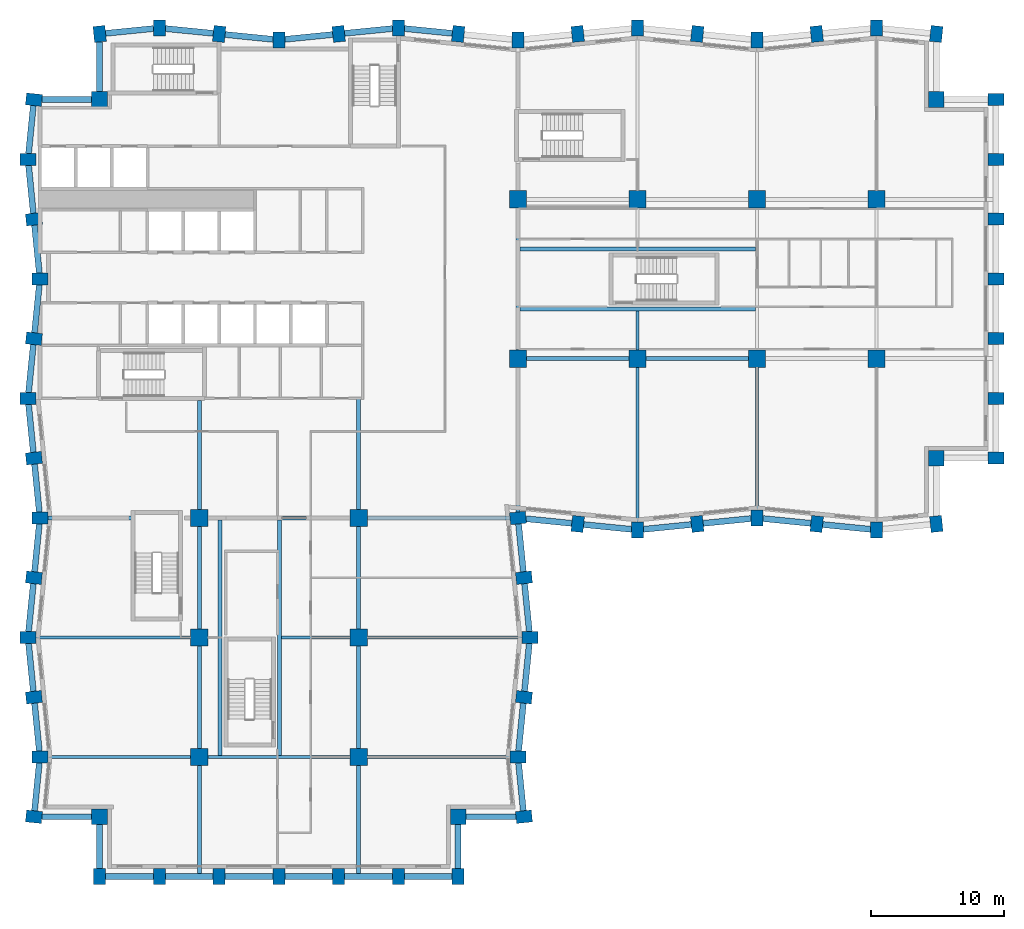
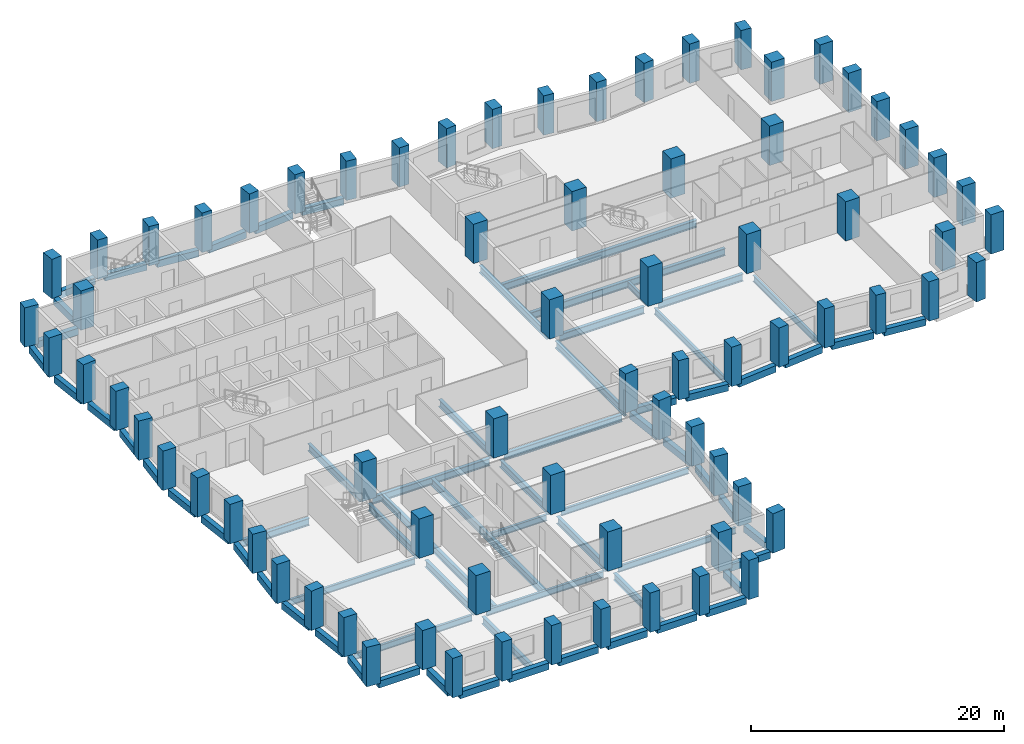
# One storey, part 1 of 11: 74 columns, 69 beams.
"""IFC4 building model written with IfcOpenShell, lengths in metres."""

import ifcopenshell
import ifcopenshell.guid

model = None  # the IFC model being written
_history = None  # IfcOwnerHistory: only IFC2X3 demands one
_inside = {}  # id of a spatial element -> (the spatial element, [elements in it])
_under = {}  # id of a project, library or spatial element -> (it, [spatial elements below it])
_declared = {}  # id of a project -> (the project, [libraries it declares])
_typed = {}  # id of a type object -> (the type object, [elements of that type])
_made_of = {}  # id of a material, layer set ... -> (it, [elements and type objects made of it])


def new_model(schema):
    """Start an empty IFC model of exactly this schema.

    Asked for "IFC4X3", IfcOpenShell would pick the latest addendum, in which some entities
    have other attributes; the version numbers below select the first issue.
    IFC2X3 requires an IfcOwnerHistory on every rooted entity: one is made here for all.
    """
    global model, _history
    if schema == "IFC4X3":
        model = ifcopenshell.file(schema_version=(4, 3, 0, 0))
    else:
        model = ifcopenshell.file(schema=schema)
    _inside.clear()
    _under.clear()
    _declared.clear()
    _typed.clear()
    _made_of.clear()
    _history = None
    if model.schema == "IFC2X3":
        org = make("IfcOrganization", Name="unknown")
        user = make(
            "IfcPersonAndOrganization",
            ThePerson=make("IfcPerson", FamilyName="unknown"),
            TheOrganization=org,
        )
        app = make(
            "IfcApplication",
            ApplicationDeveloper=org,
            Version="unknown",
            ApplicationFullName="unknown",
            ApplicationIdentifier="unknown",
        )
        _history = make(
            "IfcOwnerHistory",
            OwningUser=user,
            OwningApplication=app,
            ChangeAction="ADDED",
            CreationDate=0,
        )
    return model


def make(cls, **values):
    """One entity of the class cls with the attributes given. An attribute that is None is left unset."""
    return model.create_entity(
        cls, **{name: value for name, value in values.items() if value is not None}
    )


def rooted(cls, **values):
    """An entity with a GlobalId (a new one), such as an element, a storey or a relation."""
    return make(cls, GlobalId=ifcopenshell.guid.new(), OwnerHistory=_history, **values)


def si_unit(unit_type, name, prefix=None):
    """IfcSIUnit, for example si_unit("LENGTHUNIT", "METRE", prefix="MILLI")."""
    return make("IfcSIUnit", UnitType=unit_type, Prefix=prefix, Name=name)


def assignment(units):
    """IfcUnitAssignment: the units of a project."""
    return None if units is None else make("IfcUnitAssignment", Units=units)


def point(xyz):
    """IfcCartesianPoint."""
    return None if xyz is None else make("IfcCartesianPoint", Coordinates=xyz)


def direction(xyz):
    """IfcDirection."""
    return None if xyz is None else make("IfcDirection", DirectionRatios=xyz)


def frame(location, z_axis=None, x_axis=None):
    """IfcAxis2Placement3D, a coordinate frame: its origin and axes. An axis left out is left unset."""
    return make(
        "IfcAxis2Placement3D",
        Location=point(location),
        Axis=direction(z_axis),
        RefDirection=direction(x_axis),
    )


def frame_2d(location, x_axis=None):
    """IfcAxis2Placement2D, a coordinate frame in the plane: its origin and x axis."""
    return make(
        "IfcAxis2Placement2D", Location=point(location), RefDirection=direction(x_axis)
    )


def origin():
    """The frame at (0, 0, 0) with its axes left unset."""
    return frame((0.0, 0.0, 0.0))


def origin_2d():
    """The frame at (0, 0) in the plane with its x axis left unset."""
    return frame_2d((0.0, 0.0))


def place(relative_to, where):
    """IfcLocalPlacement: puts the frame where relative to a parent placement (None: the world)."""
    return make(
        "IfcLocalPlacement", PlacementRelTo=relative_to, RelativePlacement=where
    )


def context(
    kind, dimensions, precision=None, world=None, true_north=None, identifier=None
):
    """IfcGeometricRepresentationContext, for example the 3D "Model" context."""
    return make(
        "IfcGeometricRepresentationContext",
        ContextIdentifier=identifier,
        ContextType=kind,
        CoordinateSpaceDimension=dimensions,
        Precision=precision,
        WorldCoordinateSystem=world,
        TrueNorth=true_north,
    )


def subcontext(parent, identifier, kind, view, scale=None):
    """IfcGeometricRepresentationSubContext, for example "Body" below "Model"."""
    return make(
        "IfcGeometricRepresentationSubContext",
        ContextIdentifier=identifier,
        ContextType=kind,
        ParentContext=parent,
        TargetScale=scale,
        TargetView=view,
    )


def project(units=None, contexts=None):
    """IfcProject with its units and contexts."""
    return rooted(
        "IfcProject",
        Name="project",
        RepresentationContexts=contexts,
        UnitsInContext=assignment(units),
    )


def spatial(cls, under=None, at=None, **own):
    """A site, building, storey or space (cls), placed at a placement, below another one or the project."""
    s = rooted(cls, ObjectPlacement=at, **own)
    if under is not None:
        _under.setdefault(under.id(), (under, []))[1].append(s)
    return s


def profile(cls, at=None, kind="AREA", **sizes):
    """A parametric profile (cls). Its sizes go by their IFC names, for example OverallWidth=200.0."""
    return make(cls, ProfileType=kind, Position=at, **sizes)


def rectangle(**sizes):
    """IfcRectangleProfileDef."""
    return profile("IfcRectangleProfileDef", **sizes)


def i_section(**sizes):
    """IfcIShapeProfileDef."""
    return profile("IfcIShapeProfileDef", **sizes)


def extrude(swept, where, along, depth):
    """IfcExtrudedAreaSolid: the profile swept, set in the frame where, extruded along a direction by depth."""
    return make(
        "IfcExtrudedAreaSolid",
        SweptArea=swept,
        Position=where,
        ExtrudedDirection=direction(along),
        Depth=depth,
    )


def shape(context_of_items, identifier, shape_type, items):
    """IfcShapeRepresentation: the items that make up one representation, for example the "Body"."""
    return make(
        "IfcShapeRepresentation",
        ContextOfItems=context_of_items,
        RepresentationIdentifier=identifier,
        RepresentationType=shape_type,
        Items=items,
    )


def material(Name=None, Category=None):
    """IfcMaterial."""
    return make("IfcMaterial", Name=Name, Category=Category)


def material_profile(
    of_material, cross_section, Name=None, Category=None, Priority=None
):
    """IfcMaterialProfile: a cross section and its material."""
    return make(
        "IfcMaterialProfile",
        Name=Name,
        Material=of_material,
        Profile=cross_section,
        Priority=Priority,
        Category=Category,
    )


def profile_set(profiles, Name=None, composite=None):
    """IfcMaterialProfileSet."""
    return make(
        "IfcMaterialProfileSet",
        Name=Name,
        MaterialProfiles=profiles,
        CompositeProfile=composite,
    )


def made_of(thing, what):
    """Note that an element or type object is made of a material, layer set ...; save() writes the relation."""
    if what is not None:
        _made_of.setdefault(what.id(), (what, []))[1].append(thing)
    return thing


def type_object(cls, material=None, **own):
    """A type object (cls), such as IfcWallType, which elements share."""
    return made_of(rooted(cls, **own), material)


def element(
    cls,
    number,
    at=None,
    inside=None,
    cuts=None,
    type_object=None,
    material=None,
    context=None,
    identifier="Body",
    shape_type=None,
    held_by="IfcProductDefinitionShape",
    body=None,
    shapes=None,
    **own,
):
    """One element of the class cls, such as IfcWall. Its Tag is "e" and its number.

    at: its placement. inside: the storey or other place that contains it. cuts: it is an
    opening in that element (IfcRelVoidsElement). A single representation is given by context,
    identifier, shape_type and body (its items); several are given by shapes. held_by: the class
    of the entity that holds the representations. save() writes the other relations.
    """
    e = rooted(cls, Tag="e%d" % number, ObjectPlacement=at, **own)
    if body is not None:
        shapes = [shape(context, identifier, shape_type, body)]
    if shapes is not None:
        e.Representation = make(held_by, Representations=shapes)
    if inside is not None:
        _inside.setdefault(inside.id(), (inside, []))[1].append(e)
    if cuts is not None:
        rooted(
            "IfcRelVoidsElement", RelatingBuildingElement=cuts, RelatedOpeningElement=e
        )
    if type_object is not None:
        _typed.setdefault(type_object.id(), (type_object, []))[1].append(e)
    return made_of(e, material)


def aggregate(whole, parts):
    """IfcRelAggregates: a whole, such as a stair, and the parts it consists of."""
    return rooted("IfcRelAggregates", RelatingObject=whole, RelatedObjects=parts)


def save(model, path):
    """Write the relations noted so far, then the file.

    IfcRelAggregates (storeys below a building ...), IfcRelContainedInSpatialStructure (elements
    in a storey), IfcRelDefinesByType, IfcRelAssociatesMaterial and IfcRelDeclares: one each for
    every whole, place, type object, material and project.
    """
    for whole, parts in _under.values():
        aggregate(whole, parts)
    for where, things in _inside.values():
        rooted(
            "IfcRelContainedInSpatialStructure",
            RelatedElements=things,
            RelatingStructure=where,
        )
    for kind, things in _typed.values():
        rooted("IfcRelDefinesByType", RelatedObjects=things, RelatingType=kind)
    for what, things in _made_of.values():
        rooted("IfcRelAssociatesMaterial", RelatedObjects=things, RelatingMaterial=what)
    for by, libraries in _declared.values():
        rooted("IfcRelDeclares", RelatingContext=by, RelatedDefinitions=libraries)
    model.write(path)


model = new_model("IFC4")

# Units and contexts
model_context = context("Model", 3, precision=1e-05, world=origin(), true_north=direction((0.0, 1.0)))
body_context = subcontext(model_context, "Body", "Model", "MODEL_VIEW")
ifc_project = project(units=[si_unit("LENGTHUNIT", "METRE"), si_unit("AREAUNIT", "SQUARE_METRE"), si_unit("VOLUMEUNIT", "CUBIC_METRE"), si_unit("PLANEANGLEUNIT", "RADIAN"), si_unit("MASSUNIT", "GRAM", prefix="KILO")], contexts=[model_context])

# Site, building, storey
site_placement = place(None, origin())
site = spatial("IfcSite", under=ifc_project, at=site_placement, CompositionType="ELEMENT")
building_placement = place(site_placement, origin())
building = spatial("IfcBuilding", under=site, at=building_placement, Name="Brondeck Convention Tower", CompositionType="ELEMENT")
storey_placement = place(building_placement, frame((0.0, 0.0, 99.89990234375)))
storey = spatial("IfcBuildingStorey", under=building, at=storey_placement, Name="L23", CompositionType="ELEMENT", Elevation=99.89990234375)

# Columns
ifc_material_1 = material(Name="Concrete C70/85", Category="concrete")
ifc_material_profile_1 = material_profile(ifc_material_1, rectangle(XDim=1.199951171875, YDim=1.199951171875, at=origin_2d()), Name="Corner column 1200x1200 Concrete C70/85")
ifc_profile_set_1 = profile_set([ifc_material_profile_1], Name="Concrete C70/85")
column_type_1 = type_object("IfcColumnType", Name="Corner column 1200x1200 Concrete C70/85", PredefinedType="COLUMN", material=ifc_profile_set_1)
for number, where, z_axis, x_axis, name in (
    (1, (4.5, 4.5, 0.0), (0.0, 0.0, 1.0), (1.0, 0.0, 0.0), "STR-COL-L23-NC-SWB0"),
    (2, (31.5, 4.5, 0.0), (0.0, 0.0, 1.0), (1.0, 0.0, 0.0), "STR-COL-L23-NC-SEB0"),
    (3, (67.5, 31.5, 0.0), (0.0, 0.0, 1.0), (1.0, 0.0, 0.0), "STR-COL-L23-NC-SEA72"),
    (4, (67.5, 58.5, 0.0), (0.0, 0.0, 1.0), (1.0, 0.0, 0.0), "STR-COL-L23-NC-NEA72"),
    (5, (4.5, 58.5, 0.0), (0.0, 0.0, 1.0), (1.0, 0.0, 0.0), "STR-COL-L23-NC-NW"),
):
    element("IfcColumn", number, at=place(storey_placement, frame(where, z_axis=z_axis, x_axis=x_axis)), inside=storey, type_object=column_type_1, Name=name, PredefinedType="COLUMN", context=body_context, shape_type="SweptSolid", body=[
        extrude(rectangle(XDim=1.199951171875, YDim=1.199951171875, at=origin_2d()), origin(), (0.0, 0.0, 1.0), 3.800048828125),
    ])
ifc_material_profile_2 = material_profile(ifc_material_1, rectangle(XDim=1.300048828125, YDim=1.300048828125, at=origin_2d()), Name="Interior column 1300x1300 Concrete C70/85")
ifc_profile_set_2 = profile_set([ifc_material_profile_2], Name="Concrete C70/85")
column_type_2 = type_object("IfcColumnType", Name="Interior column 1300x1300 Concrete C70/85", PredefinedType="COLUMN", material=ifc_profile_set_2)
for number, where, z_axis, x_axis, name in (
    (6, (12.0, 9.0, 0.0), (0.0, 0.0, 1.0), (1.0, 0.0, 0.0), "STR-COL-L23-IC-01"),
    (7, (12.0, 18.0, 0.0), (0.0, 0.0, 1.0), (1.0, 0.0, 0.0), "STR-COL-L23-IC-02"),
    (8, (12.0, 27.0, 0.0), (0.0, 0.0, 1.0), (1.0, 0.0, 0.0), "STR-COL-L23-IC-03"),
    (9, (24.0, 9.0, 0.0), (0.0, 0.0, 1.0), (1.0, 0.0, 0.0), "STR-COL-L23-IC-04"),
    (10, (24.0, 18.0, 0.0), (0.0, 0.0, 1.0), (1.0, 0.0, 0.0), "STR-COL-L23-IC-05"),
    (11, (24.0, 27.0, 0.0), (0.0, 0.0, 1.0), (1.0, 0.0, 0.0), "STR-COL-L23-IC-06"),
    (12, (36.0, 39.0, 0.0), (0.0, 0.0, 1.0), (1.0, 0.0, 0.0), "STR-COL-L23-IC-07"),
    (13, (36.0, 51.0, 0.0), (0.0, 0.0, 1.0), (1.0, 0.0, 0.0), "STR-COL-L23-IC-08"),
    (14, (45.0, 39.0, 0.0), (0.0, 0.0, 1.0), (1.0, 0.0, 0.0), "STR-COL-L23-IC-09"),
    (15, (45.0, 51.0, 0.0), (0.0, 0.0, 1.0), (1.0, 0.0, 0.0), "STR-COL-L23-IC-10"),
    (16, (54.0, 39.0, 0.0), (0.0, 0.0, 1.0), (1.0, 0.0, 0.0), "STR-COL-L23-IC-11"),
    (17, (54.0, 51.0, 0.0), (0.0, 0.0, 1.0), (1.0, 0.0, 0.0), "STR-COL-L23-IC-12"),
    (18, (63.0, 39.0, 0.0), (0.0, 0.0, 1.0), (1.0, 0.0, 0.0), "STR-COL-L23-IC-13"),
    (19, (63.0, 51.0, 0.0), (0.0, 0.0, 1.0), (1.0, 0.0, 0.0), "STR-COL-L23-IC-14"),
):
    element("IfcColumn", number, at=place(storey_placement, frame(where, z_axis=z_axis, x_axis=x_axis)), inside=storey, type_object=column_type_2, Name=name, PredefinedType="COLUMN", context=body_context, shape_type="SweptSolid", body=[
        extrude(rectangle(XDim=1.300048828125, YDim=1.300048828125, at=origin_2d()), origin(), (0.0, 0.0, 1.0), 3.800048828125),
    ])
ifc_material_profile_3 = material_profile(ifc_material_1, rectangle(XDim=0.89990234375, YDim=1.199951171875, at=origin_2d()), Name="Perimeter pier 900x1200 Concrete C70/85")
ifc_profile_set_3 = profile_set([ifc_material_profile_3], Name="Concrete C70/85")
column_type_3 = type_object("IfcColumnType", Name="Perimeter pier 900x1200 Concrete C70/85", PredefinedType="COLUMN", material=ifc_profile_set_3)
for number, where, z_axis, x_axis, name in (
    (20, (4.5, 0.0, 0.0), (0.0, 0.0, 1.0), (1.0, 0.0, 0.0), "STR-COL-L23-PC-B-S0-01"),
    (21, (9.0, 0.0, 0.0), (0.0, 0.0, 1.0), (1.0, 0.0, 0.0), "STR-COL-L23-PC-B-S0-02"),
    (22, (13.5, 0.0, 0.0), (0.0, 0.0, 1.0), (1.0, 0.0, 0.0), "STR-COL-L23-PC-B-S0-03"),
    (23, (18.0, 0.0, 0.0), (0.0, 0.0, 1.0), (1.0, 0.0, 0.0), "STR-COL-L23-PC-B-S0-04"),
    (24, (22.5, 0.0, 0.0), (0.0, 0.0, 1.0), (1.0, 0.0, 0.0), "STR-COL-L23-PC-B-S0-05"),
    (25, (27.0, 0.0, 0.0), (0.0, 0.0, 1.0), (1.0, 0.0, 0.0), "STR-COL-L23-PC-B-S0-06"),
    (26, (31.5, 0.0, 0.0), (0.0, 0.0, 1.0), (1.0, 0.0, 0.0), "STR-COL-L23-PC-B-S0-07"),
    (27, (36.449951171875, 4.5, 0.0), (0.0, 0.0, 1.0), (-0.0995038382, 0.995037178292, 0.0), "STR-COL-L23-PC-B-E-05"),
    (28, (36.0, 9.0, 0.0), (0.0, 0.0, 1.0), (0.0, 1.0, 0.0), "STR-COL-L23-PC-B-E-04"),
    (29, (36.449951171875, 13.5, 0.0), (0.0, 0.0, 1.0), (0.0995038382, 0.995037178292, 0.0), "STR-COL-L23-PC-B-E-03"),
    (30, (36.89990234375, 18.0, 0.0), (0.0, 0.0, 1.0), (0.0, 1.0, 0.0), "STR-COL-L23-PC-B-E-02"),
    (31, (36.449951171875, 22.5, 0.0), (0.0, 0.0, 1.0), (-0.0995038382, 0.995037178292, 0.0), "STR-COL-L23-PC-B-E-01"),
    (32, (36.0, 27.0, 0.0), (0.0, 0.0, 1.0), (-0.0995038382, 0.995037178292, 0.0), "STR-COL-L23-PC-B-E-00"),
    (33, (40.5, 26.550048828125, 0.0), (0.0, 0.0, 1.0), (0.995037178292, -0.0995038382, 0.0), "STR-COL-L23-PC-A-S-01"),
    (34, (45.0, 26.10009765625, 0.0), (0.0, 0.0, 1.0), (1.0, 0.0, 0.0), "STR-COL-L23-PC-A-S-02"),
    (35, (49.5, 26.550048828125, 0.0), (0.0, 0.0, 1.0), (0.995037178292, 0.0995038382, 0.0), "STR-COL-L23-PC-A-S-03"),
    (36, (54.0, 27.0, 0.0), (0.0, 0.0, 1.0), (1.0, 0.0, 0.0), "STR-COL-L23-PC-A-S-04"),
    (37, (58.5, 26.550048828125, 0.0), (0.0, 0.0, 1.0), (0.995037178292, -0.0995038382, 0.0), "STR-COL-L23-PC-A-S-05"),
    (38, (63.0, 26.10009765625, 0.0), (0.0, 0.0, 1.0), (1.0, 0.0, 0.0), "STR-COL-L23-PC-A-S-06"),
    (39, (67.5, 26.550048828125, 0.0), (0.0, 0.0, 1.0), (0.995037178292, 0.0995038382, 0.0), "STR-COL-L23-PC-A-S-07"),
    (40, (72.0, 31.5, 0.0), (0.0, 0.0, 1.0), (0.0, 1.0, 0.0), "STR-COL-L23-PC-A-E72-01"),
    (41, (72.0, 36.0, 0.0), (0.0, 0.0, 1.0), (0.0, 1.0, 0.0), "STR-COL-L23-PC-A-E72-02"),
    (42, (72.0, 40.5, 0.0), (0.0, 0.0, 1.0), (0.0, 1.0, 0.0), "STR-COL-L23-PC-A-E72-03"),
    (43, (72.0, 45.0, 0.0), (0.0, 0.0, 1.0), (0.0, 1.0, 0.0), "STR-COL-L23-PC-A-E72-04"),
    (44, (72.0, 49.5, 0.0), (0.0, 0.0, 1.0), (0.0, 1.0, 0.0), "STR-COL-L23-PC-A-E72-05"),
    (45, (72.0, 54.0, 0.0), (0.0, 0.0, 1.0), (0.0, 1.0, 0.0), "STR-COL-L23-PC-A-E72-06"),
    (46, (72.0, 58.5, 0.0), (0.0, 0.0, 1.0), (0.0, 1.0, 0.0), "STR-COL-L23-PC-A-E72-07"),
    (47, (67.5, 63.449951171875, 0.0), (0.0, 0.0, 1.0), (-0.995037178292, 0.0995038382, 0.0), "STR-COL-L23-PC-A-N-15"),
    (48, (63.0, 63.89990234375, 0.0), (0.0, 0.0, 1.0), (-1.0, 0.0, 0.0), "STR-COL-L23-PC-A-N-14"),
    (49, (58.5, 63.449951171875, 0.0), (0.0, 0.0, 1.0), (-0.995037178292, -0.0995038382, 0.0), "STR-COL-L23-PC-A-N-13"),
    (50, (54.0, 63.0, 0.0), (0.0, 0.0, 1.0), (-1.0, 0.0, 0.0), "STR-COL-L23-PC-A-N-12"),
    (51, (49.5, 63.449951171875, 0.0), (0.0, 0.0, 1.0), (-0.995037178292, 0.0995038382, 0.0), "STR-COL-L23-PC-A-N-11"),
    (52, (45.0, 63.89990234375, 0.0), (0.0, 0.0, 1.0), (-1.0, 0.0, 0.0), "STR-COL-L23-PC-A-N-10"),
    (53, (40.5, 63.449951171875, 0.0), (0.0, 0.0, 1.0), (-0.995037178292, -0.0995038382, 0.0), "STR-COL-L23-PC-A-N-09"),
    (54, (36.0, 63.0, 0.0), (0.0, 0.0, 1.0), (-1.0, 0.0, 0.0), "STR-COL-L23-PC-A-N-08"),
    (55, (31.5, 63.449951171875, 0.0), (0.0, 0.0, 1.0), (-0.995037178292, 0.0995038382, 0.0), "STR-COL-L23-PC-A-N-07"),
    (56, (27.0, 63.89990234375, 0.0), (0.0, 0.0, 1.0), (-1.0, 0.0, 0.0), "STR-COL-L23-PC-A-N-06"),
    (57, (22.5, 63.449951171875, 0.0), (0.0, 0.0, 1.0), (-0.995037178292, -0.0995038382, 0.0), "STR-COL-L23-PC-A-N-05"),
    (58, (18.0, 63.0, 0.0), (0.0, 0.0, 1.0), (-1.0, 0.0, 0.0), "STR-COL-L23-PC-A-N-04"),
    (59, (13.5, 63.449951171875, 0.0), (0.0, 0.0, 1.0), (-0.995037178292, 0.0995038382, 0.0), "STR-COL-L23-PC-A-N-03"),
    (60, (9.0, 63.89990234375, 0.0), (0.0, 0.0, 1.0), (-1.0, 0.0, 0.0), "STR-COL-L23-PC-A-N-02"),
    (61, (4.5, 63.449951171875, 0.0), (0.0, 0.0, 1.0), (-0.995037178292, -0.0995038382, 0.0), "STR-COL-L23-PC-A-N-01"),
    (62, (-0.449951171875, 58.5, 0.0), (0.0, 0.0, 1.0), (-0.0995038382, -0.995037178292, 0.0), "STR-COL-L23-PC-B-W-01"),
    (63, (-0.89990234375, 54.0, 0.0), (0.0, 0.0, 1.0), (0.0, -1.0, 0.0), "STR-COL-L23-PC-B-W-02"),
    (64, (-0.449951171875, 49.5, 0.0), (0.0, 0.0, 1.0), (0.0995038382, -0.995037178292, 0.0), "STR-COL-L23-PC-B-W-03"),
    (65, (0.0, 45.0, 0.0), (0.0, 0.0, 1.0), (0.0, -1.0, 0.0), "STR-COL-L23-PC-B-W-04"),
    (66, (-0.449951171875, 40.5, 0.0), (0.0, 0.0, 1.0), (-0.0995038382, -0.995037178292, 0.0), "STR-COL-L23-PC-B-W-05"),
    (67, (-0.89990234375, 36.0, 0.0), (0.0, 0.0, 1.0), (0.0, -1.0, 0.0), "STR-COL-L23-PC-B-W-06"),
    (68, (-0.449951171875, 31.5, 0.0), (0.0, 0.0, 1.0), (0.0995038382, -0.995037178292, 0.0), "STR-COL-L23-PC-B-W-07"),
    (69, (0.0, 27.0, 0.0), (0.0, 0.0, 1.0), (0.0, -1.0, 0.0), "STR-COL-L23-PC-B-W-08"),
    (70, (-0.449951171875, 22.5, 0.0), (0.0, 0.0, 1.0), (-0.0995038382, -0.995037178292, 0.0), "STR-COL-L23-PC-B-W-09"),
    (71, (-0.89990234375, 18.0, 0.0), (0.0, 0.0, 1.0), (0.0, -1.0, 0.0), "STR-COL-L23-PC-B-W-10"),
    (72, (-0.449951171875, 13.5, 0.0), (0.0, 0.0, 1.0), (0.0995038382, -0.995037178292, 0.0), "STR-COL-L23-PC-B-W-11"),
    (73, (0.0, 9.0, 0.0), (0.0, 0.0, 1.0), (0.0, -1.0, 0.0), "STR-COL-L23-PC-B-W-12"),
    (74, (-0.449951171875, 4.5, 0.0), (0.0, 0.0, 1.0), (-0.0995038382, -0.995037178292, 0.0), "STR-COL-L23-PC-B-W-13"),
):
    element("IfcColumn", number, at=place(storey_placement, frame(where, z_axis=z_axis, x_axis=x_axis)), inside=storey, type_object=column_type_3, Name=name, PredefinedType="COLUMN", context=body_context, shape_type="SweptSolid", body=[
        extrude(rectangle(XDim=0.89990234375, YDim=1.199951171875, at=origin_2d()), origin(), (0.0, 0.0, 1.0), 3.800048828125),
    ])

# Beams
ifc_material_2 = material(Name="Steel S355", Category="steel")
ifc_material_profile_4 = material_profile(ifc_material_2, i_section(OverallWidth=0.219970703125, OverallDepth=0.60009765625, WebThickness=0.011962890625, FlangeThickness=0.01904296875, FilletRadius=0.02392578125, at=origin_2d()), Name="IPE 600")
ifc_profile_set_4 = profile_set([ifc_material_profile_4], Name="Steel S355")
beam_type_1 = type_object("IfcBeamType", Name="Floor beam IPE 600", PredefinedType="BEAM", material=ifc_profile_set_4)
beam_1_placement = place(storey_placement, frame((45.0, 26.699951171875, -0.599853515625), z_axis=(0.0, 1.0, 0.0), x_axis=(-1.0, 0.0, 0.0)))
element("IfcBeam", 75, at=beam_1_placement, inside=storey, type_object=beam_type_1, Name="STR-FB-L23-001", PredefinedType="BEAM", context=body_context, shape_type="SweptSolid", body=[
    extrude(i_section(OverallWidth=0.219970703125, OverallDepth=0.60009765625, WebThickness=0.011962890625, FlangeThickness=0.01904296875, FilletRadius=0.02392578125, at=origin_2d()), origin(), (0.0, 0.0, 1.0), 11.650146484375),
])
for number, where, z_axis, x_axis, name in (
    (76, (54.0, 27.60009765625, -0.599853515625), (0.0, 1.0, 0.0), (-1.0, 0.0, 0.0), "STR-FB-L23-003"),
    (77, (0.60009765625, 9.0, -0.599853515625), (1.0, 0.0, 0.0), (0.0, 1.0, 0.0), "STR-FB-L23-009"),
):
    element("IfcBeam", number, at=place(storey_placement, frame(where, z_axis=z_axis, x_axis=x_axis)), inside=storey, type_object=beam_type_1, Name=name, PredefinedType="BEAM", context=body_context, shape_type="SweptSolid", body=[
        extrude(i_section(OverallWidth=0.219970703125, OverallDepth=0.60009765625, WebThickness=0.011962890625, FlangeThickness=0.01904296875, FilletRadius=0.02392578125, at=origin_2d()), origin(), (0.0, 0.0, 1.0), 10.75),
    ])
beam_2_placement = place(storey_placement, frame((12.64990234375, 9.0, -0.599853515625), z_axis=(1.0, 0.0, 0.0), x_axis=(0.0, 1.0, 0.0)))
element("IfcBeam", 78, at=beam_2_placement, inside=storey, type_object=beam_type_1, Name="STR-FB-L23-010", PredefinedType="BEAM", context=body_context, shape_type="SweptSolid", body=[
    extrude(i_section(OverallWidth=0.219970703125, OverallDepth=0.60009765625, WebThickness=0.011962890625, FlangeThickness=0.01904296875, FilletRadius=0.02392578125, at=origin_2d()), origin(), (0.0, 0.0, 1.0), 10.7001953125),
])
beam_3_placement = place(storey_placement, frame((24.64990234375, 9.0, -0.599853515625), z_axis=(1.0, 0.0, 0.0), x_axis=(0.0, 1.0, 0.0)))
element("IfcBeam", 79, at=beam_3_placement, inside=storey, type_object=beam_type_1, Name="STR-FB-L23-011", PredefinedType="BEAM", context=body_context, shape_type="SweptSolid", body=[
    extrude(i_section(OverallWidth=0.219970703125, OverallDepth=0.60009765625, WebThickness=0.011962890625, FlangeThickness=0.01904296875, FilletRadius=0.02392578125, at=origin_2d()), origin(), (0.0, 0.0, 1.0), 10.75),
])
for number, where, z_axis, x_axis, name in (
    (80, (-0.300048828125, 18.0, -0.599853515625), (1.0, 0.0, 0.0), (0.0, 1.0, 0.0), "STR-FB-L23-012"),
    (81, (24.64990234375, 18.0, -0.599853515625), (1.0, 0.0, 0.0), (0.0, 1.0, 0.0), "STR-FB-L23-013"),
):
    element("IfcBeam", number, at=place(storey_placement, frame(where, z_axis=z_axis, x_axis=x_axis)), inside=storey, type_object=beam_type_1, Name=name, PredefinedType="BEAM", context=body_context, shape_type="SweptSolid", body=[
        extrude(i_section(OverallWidth=0.219970703125, OverallDepth=0.60009765625, WebThickness=0.011962890625, FlangeThickness=0.01904296875, FilletRadius=0.02392578125, at=origin_2d()), origin(), (0.0, 0.0, 1.0), 11.650146484375),
    ])
beam_4_placement = place(storey_placement, frame((45.0, 39.64990234375, -0.599853515625), z_axis=(0.0, 1.0, 0.0), x_axis=(-1.0, 0.0, 0.0)))
element("IfcBeam", 82, at=beam_4_placement, inside=storey, type_object=beam_type_1, Name="STR-FB-L23-014", PredefinedType="BEAM", context=body_context, shape_type="SweptSolid", body=[
    extrude(i_section(OverallWidth=0.219970703125, OverallDepth=0.60009765625, WebThickness=0.011962890625, FlangeThickness=0.01904296875, FilletRadius=0.02392578125, at=origin_2d()), origin(), (0.0, 0.0, 1.0), 2.9501953125),
])
beam_5_placement = place(storey_placement, frame((18.199951171875, 18.0, -0.599853515625), z_axis=(1.0, 0.0, 0.0), x_axis=(0.0, 1.0, 0.0)))
element("IfcBeam", 83, at=beam_5_placement, inside=storey, type_object=beam_type_1, Name="STR-FB-L23-016", PredefinedType="BEAM", context=body_context, shape_type="SweptSolid", body=[
    extrude(i_section(OverallWidth=0.219970703125, OverallDepth=0.60009765625, WebThickness=0.011962890625, FlangeThickness=0.01904296875, FilletRadius=0.02392578125, at=origin_2d()), origin(), (0.0, 0.0, 1.0), 5.150146484375),
])
ifc_material_profile_5 = material_profile(ifc_material_2, i_section(OverallWidth=0.300048828125, OverallDepth=0.699951171875, WebThickness=0.01708984375, FlangeThickness=0.031982421875, FilletRadius=0.027099609375, at=origin_2d()), Name="HEB 700")
ifc_profile_set_5 = profile_set([ifc_material_profile_5], Name="Steel S355")
beam_type_2 = type_object("IfcBeamType", Name="Girder HEB 700", PredefinedType="BEAM", material=ifc_profile_set_5)
for number, where, z_axis, x_axis, name in (
    (84, (36.64990234375, 39.0, -0.64990234375), (1.0, 0.0, 0.0), (0.0, 1.0, 0.0), "STR-GR-L23-001"),
    (85, (45.64990234375, 39.0, -0.64990234375), (1.0, 0.0, 0.0), (0.0, 1.0, 0.0), "STR-GR-L23-002"),
):
    element("IfcBeam", number, at=place(storey_placement, frame(where, z_axis=z_axis, x_axis=x_axis)), inside=storey, type_object=beam_type_2, Name=name, PredefinedType="BEAM", context=body_context, shape_type="SweptSolid", body=[
        extrude(i_section(OverallWidth=0.300048828125, OverallDepth=0.699951171875, WebThickness=0.01708984375, FlangeThickness=0.031982421875, FilletRadius=0.027099609375, at=origin_2d()), origin(), (0.0, 0.0, 1.0), 7.7001953125),
    ])
beam_6_placement = place(storey_placement, frame((36.0, 27.4521484375, -0.64990234375), z_axis=(0.0, 1.0, 0.0), x_axis=(-1.0, 0.0, 0.0)))
element("IfcBeam", 86, at=beam_6_placement, inside=storey, type_object=beam_type_2, Name="STR-GR-L23-009", PredefinedType="BEAM", context=body_context, shape_type="SweptSolid", body=[
    extrude(i_section(OverallWidth=0.300048828125, OverallDepth=0.699951171875, WebThickness=0.01708984375, FlangeThickness=0.031982421875, FilletRadius=0.027099609375, at=origin_2d()), origin(), (0.0, 0.0, 1.0), 10.89794921875),
])
beam_7_placement = place(storey_placement, frame((36.0, 39.64990234375, -0.64990234375), z_axis=(0.0, 1.0, 0.0), x_axis=(-1.0, 0.0, 0.0)))
element("IfcBeam", 87, at=beam_7_placement, inside=storey, type_object=beam_type_2, Name="STR-GR-L23-010", PredefinedType="BEAM", context=body_context, shape_type="SweptSolid", body=[
    extrude(i_section(OverallWidth=0.300048828125, OverallDepth=0.699951171875, WebThickness=0.01708984375, FlangeThickness=0.031982421875, FilletRadius=0.027099609375, at=origin_2d()), origin(), (0.0, 0.0, 1.0), 10.7001953125),
])
beam_8_placement = place(storey_placement, frame((12.0, 35.85009765625, -0.64990234375), z_axis=(0.0, -1.0, 0.0), x_axis=(1.0, 0.0, 0.0)))
element("IfcBeam", 88, at=beam_8_placement, inside=storey, type_object=beam_type_2, Name="STR-GR-L23-013", PredefinedType="BEAM", context=body_context, shape_type="SweptSolid", body=[
    extrude(i_section(OverallWidth=0.300048828125, OverallDepth=0.699951171875, WebThickness=0.01708984375, FlangeThickness=0.031982421875, FilletRadius=0.027099609375, at=origin_2d()), origin(), (0.0, 0.0, 1.0), 8.2001953125),
])
for number, where, z_axis, x_axis, name in (
    (89, (12.0, 26.35009765625, -0.64990234375), (0.0, -1.0, 0.0), (1.0, 0.0, 0.0), "STR-GR-L23-014"),
    (90, (12.0, 17.35009765625, -0.64990234375), (0.0, -1.0, 0.0), (1.0, 0.0, 0.0), "STR-GR-L23-015"),
):
    element("IfcBeam", number, at=place(storey_placement, frame(where, z_axis=z_axis, x_axis=x_axis)), inside=storey, type_object=beam_type_2, Name=name, PredefinedType="BEAM", context=body_context, shape_type="SweptSolid", body=[
        extrude(i_section(OverallWidth=0.300048828125, OverallDepth=0.699951171875, WebThickness=0.01708984375, FlangeThickness=0.031982421875, FilletRadius=0.027099609375, at=origin_2d()), origin(), (0.0, 0.0, 1.0), 7.7001953125),
    ])
beam_9_placement = place(storey_placement, frame((12.0, 8.35009765625, -0.64990234375), z_axis=(0.0, -1.0, 0.0), x_axis=(1.0, 0.0, 0.0)))
element("IfcBeam", 91, at=beam_9_placement, inside=storey, type_object=beam_type_2, Name="STR-GR-L23-016", PredefinedType="BEAM", context=body_context, shape_type="SweptSolid", body=[
    extrude(i_section(OverallWidth=0.300048828125, OverallDepth=0.699951171875, WebThickness=0.01708984375, FlangeThickness=0.031982421875, FilletRadius=0.027099609375, at=origin_2d()), origin(), (0.0, 0.0, 1.0), 8.125),
])
beam_10_placement = place(storey_placement, frame((24.0, 35.955078125, -0.64990234375), z_axis=(0.0, -1.0, 0.0), x_axis=(1.0, 0.0, 0.0)))
element("IfcBeam", 92, at=beam_10_placement, inside=storey, type_object=beam_type_2, Name="STR-GR-L23-017", PredefinedType="BEAM", context=body_context, shape_type="SweptSolid", body=[
    extrude(i_section(OverallWidth=0.300048828125, OverallDepth=0.699951171875, WebThickness=0.01708984375, FlangeThickness=0.031982421875, FilletRadius=0.027099609375, at=origin_2d()), origin(), (0.0, 0.0, 1.0), 8.30517578125),
])
for number, where, z_axis, x_axis, name in (
    (93, (24.0, 26.35009765625, -0.64990234375), (0.0, -1.0, 0.0), (1.0, 0.0, 0.0), "STR-GR-L23-018"),
    (94, (24.0, 17.35009765625, -0.64990234375), (0.0, -1.0, 0.0), (1.0, 0.0, 0.0), "STR-GR-L23-019"),
):
    element("IfcBeam", number, at=place(storey_placement, frame(where, z_axis=z_axis, x_axis=x_axis)), inside=storey, type_object=beam_type_2, Name=name, PredefinedType="BEAM", context=body_context, shape_type="SweptSolid", body=[
        extrude(i_section(OverallWidth=0.300048828125, OverallDepth=0.699951171875, WebThickness=0.01708984375, FlangeThickness=0.031982421875, FilletRadius=0.027099609375, at=origin_2d()), origin(), (0.0, 0.0, 1.0), 7.7001953125),
    ])
beam_11_placement = place(storey_placement, frame((24.0, 8.35009765625, -0.64990234375), z_axis=(0.0, -1.0, 0.0), x_axis=(1.0, 0.0, 0.0)))
element("IfcBeam", 95, at=beam_11_placement, inside=storey, type_object=beam_type_2, Name="STR-GR-L23-020", PredefinedType="BEAM", context=body_context, shape_type="SweptSolid", body=[
    extrude(i_section(OverallWidth=0.300048828125, OverallDepth=0.699951171875, WebThickness=0.01708984375, FlangeThickness=0.031982421875, FilletRadius=0.027099609375, at=origin_2d()), origin(), (0.0, 0.0, 1.0), 8.125),
])
beam_12_placement = place(storey_placement, frame((0.60009765625, 27.0, -0.64990234375), z_axis=(1.0, 0.0, 0.0), x_axis=(0.0, 1.0, 0.0)))
element("IfcBeam", 96, at=beam_12_placement, inside=storey, type_object=beam_type_2, Name="STR-GR-L23-021", PredefinedType="BEAM", context=body_context, shape_type="SweptSolid", body=[
    extrude(i_section(OverallWidth=0.300048828125, OverallDepth=0.699951171875, WebThickness=0.01708984375, FlangeThickness=0.031982421875, FilletRadius=0.027099609375, at=origin_2d()), origin(), (0.0, 0.0, 1.0), 6.27978515625),
])
beam_13_placement = place(storey_placement, frame((12.64990234375, 27.0, -0.64990234375), z_axis=(1.0, 0.0, 0.0), x_axis=(0.0, 1.0, 0.0)))
element("IfcBeam", 97, at=beam_13_placement, inside=storey, type_object=beam_type_2, Name="STR-GR-L23-022", PredefinedType="BEAM", context=body_context, shape_type="SweptSolid", body=[
    extrude(i_section(OverallWidth=0.300048828125, OverallDepth=0.699951171875, WebThickness=0.01708984375, FlangeThickness=0.031982421875, FilletRadius=0.027099609375, at=origin_2d()), origin(), (0.0, 0.0, 1.0), 10.7001953125),
])
beam_14_placement = place(storey_placement, frame((24.64990234375, 27.0, -0.64990234375), z_axis=(1.0, 0.0, 0.0), x_axis=(0.0, 1.0, 0.0)))
element("IfcBeam", 98, at=beam_14_placement, inside=storey, type_object=beam_type_2, Name="STR-GR-L23-023", PredefinedType="BEAM", context=body_context, shape_type="SweptSolid", body=[
    extrude(i_section(OverallWidth=0.300048828125, OverallDepth=0.699951171875, WebThickness=0.01708984375, FlangeThickness=0.031982421875, FilletRadius=0.027099609375, at=origin_2d()), origin(), (0.0, 0.0, 1.0), 10.7470703125),
])
for number, where, z_axis, x_axis, name in (
    (99, (36.14990234375, 42.75, -0.64990234375), (1.0, 0.0, 0.0), (0.0, 1.0, 0.0), "STR-GR-L23-024"),
    (100, (36.14990234375, 47.25, -0.64990234375), (1.0, 0.0, 0.0), (0.0, 1.0, 0.0), "STR-GR-L23-025"),
    (101, (13.550048828125, 9.110107421875, -0.64990234375), (0.0, 1.0, 0.0), (-1.0, 0.0, 0.0), "STR-GR-L23-026"),
    (102, (18.050048828125, 9.110107421875, -0.64990234375), (0.0, 1.0, 0.0), (-1.0, 0.0, 0.0), "STR-GR-L23-027"),
):
    element("IfcBeam", number, at=place(storey_placement, frame(where, z_axis=z_axis, x_axis=x_axis)), inside=storey, type_object=beam_type_2, Name=name, PredefinedType="BEAM", context=body_context, shape_type="SweptSolid", body=[
        extrude(i_section(OverallWidth=0.300048828125, OverallDepth=0.699951171875, WebThickness=0.01708984375, FlangeThickness=0.031982421875, FilletRadius=0.027099609375, at=origin_2d()), origin(), (0.0, 0.0, 1.0), 17.739990234375),
    ])
ifc_material_profile_6 = material_profile(ifc_material_1, rectangle(XDim=0.449951171875, YDim=0.64990234375, at=origin_2d()), Name="Precast spandrel 450x650 Concrete C70/85")
ifc_profile_set_6 = profile_set([ifc_material_profile_6], Name="Concrete C70/85")
beam_type_3 = type_object("IfcBeamType", Name="Precast spandrel 450x650 Concrete C70/85", PredefinedType="SPANDREL", material=ifc_profile_set_6)
for number, where, z_axis, x_axis, name in (
    (103, (4.949951171875, 0.0, -0.324951171875), (1.0, 0.0, 0.0), (0.0, 1.0, 0.0), "STR-SP-L23-001"),
    (104, (9.449951171875, 0.0, -0.324951171875), (1.0, 0.0, 0.0), (0.0, 1.0, 0.0), "STR-SP-L23-002"),
    (105, (13.949951171875, 0.0, -0.324951171875), (1.0, 0.0, 0.0), (0.0, 1.0, 0.0), "STR-SP-L23-003"),
    (106, (18.449951171875, 0.0, -0.324951171875), (1.0, 0.0, 0.0), (0.0, 1.0, 0.0), "STR-SP-L23-004"),
    (107, (22.949951171875, 0.0, -0.324951171875), (1.0, 0.0, 0.0), (0.0, 1.0, 0.0), "STR-SP-L23-005"),
    (108, (27.449951171875, 0.0, -0.324951171875), (1.0, 0.0, 0.0), (0.0, 1.0, 0.0), "STR-SP-L23-006"),
):
    element("IfcBeam", number, at=place(storey_placement, frame(where, z_axis=z_axis, x_axis=x_axis)), inside=storey, type_object=beam_type_3, Name=name, PredefinedType="SPANDREL", context=body_context, shape_type="SweptSolid", body=[
        extrude(rectangle(XDim=0.449951171875, YDim=0.64990234375, at=origin_2d()), origin(), (0.0, 0.0, 1.0), 3.60009765625),
    ])
beam_15_placement = place(storey_placement, frame((31.5, 0.60009765625, -0.324951171875), z_axis=(0.0, 1.0, 0.0), x_axis=(-1.0, 0.0, 0.0)))
element("IfcBeam", 109, at=beam_15_placement, inside=storey, type_object=beam_type_3, Name="STR-SP-L23-007", PredefinedType="SPANDREL", context=body_context, shape_type="SweptSolid", body=[
    extrude(rectangle(XDim=0.449951171875, YDim=0.64990234375, at=origin_2d()), origin(), (0.0, 0.0, 1.0), 3.2998046875),
])
beam_16_placement = place(storey_placement, frame((32.10009765625, 4.5, -0.324951171875), z_axis=(1.0, 0.0, 0.0), x_axis=(0.0, 1.0, 0.0)))
element("IfcBeam", 110, at=beam_16_placement, inside=storey, type_object=beam_type_3, Name="STR-SP-L23-008", PredefinedType="SPANDREL", context=body_context, shape_type="SweptSolid", body=[
    extrude(rectangle(XDim=0.449951171875, YDim=0.64990234375, at=origin_2d()), origin(), (0.0, 0.0, 1.0), 3.746826171875),
])
for number, where, z_axis, x_axis, name in (
    (111, (36.4052734375, 4.94775390625, -0.324951171875), (-0.099537103649, 0.995033851182, 0.0), (-0.995033851182, -0.099537103649, 0.0), "STR-SP-L23-009"),
    (112, (36.044921875, 9.449951171875, -0.324951171875), (0.099537103649, 0.995033851182, 0.0), (-0.995033851182, 0.099537103649, 0.0), "STR-SP-L23-010"),
    (113, (36.494873046875, 13.94775390625, -0.324951171875), (0.099470334057, 0.995040528141, 0.0), (-0.995040528141, 0.099470334057, 0.0), "STR-SP-L23-011"),
    (114, (36.85498046875, 18.449951171875, -0.324951171875), (-0.099470334057, 0.995040528141, 0.0), (-0.995040528141, -0.099470334057, 0.0), "STR-SP-L23-012"),
):
    element("IfcBeam", number, at=place(storey_placement, frame(where, z_axis=z_axis, x_axis=x_axis)), inside=storey, type_object=beam_type_3, Name=name, PredefinedType="SPANDREL", context=body_context, shape_type="SweptSolid", body=[
        extrude(rectangle(XDim=0.449951171875, YDim=0.64990234375, at=origin_2d()), origin(), (0.0, 0.0, 1.0), 3.620361328125),
    ])
beam_17_placement = place(storey_placement, frame((36.4052734375, 22.94775390625, -0.324951171875), z_axis=(-0.099543756114, 0.995033185687, 0.0), x_axis=(-0.995033185687, -0.099543756114, 0.0)))
element("IfcBeam", 115, at=beam_17_placement, inside=storey, type_object=beam_type_3, Name="STR-SP-L23-013", PredefinedType="SPANDREL", context=body_context, shape_type="SweptSolid", body=[
    extrude(rectangle(XDim=0.449951171875, YDim=0.64990234375, at=origin_2d()), origin(), (0.0, 0.0, 1.0), 3.62255859375),
])
beam_18_placement = place(storey_placement, frame((36.609130859375, 26.939208984375, -0.324951171875), z_axis=(0.995032299082, -0.099552618167, 0.0), x_axis=(0.099552618167, 0.995032299082, 0.0)))
element("IfcBeam", 116, at=beam_18_placement, inside=storey, type_object=beam_type_3, Name="STR-SP-L23-014", PredefinedType="SPANDREL", context=body_context, shape_type="SweptSolid", body=[
    extrude(rectangle(XDim=0.449951171875, YDim=0.64990234375, at=origin_2d()), origin(), (0.0, 0.0, 1.0), 3.460205078125),
])
for number, where, z_axis, x_axis, name in (
    (117, (40.94775390625, 26.505126953125, -0.324951171875), (0.995040528141, -0.099470334057, 0.0), (0.099470334057, 0.995040528141, 0.0), "STR-SP-L23-015"),
    (118, (45.449951171875, 26.14501953125, -0.324951171875), (0.995040528141, 0.099470334057, 0.0), (-0.099470334057, 0.995040528141, 0.0), "STR-SP-L23-016"),
    (119, (49.94775390625, 26.5947265625, -0.324951171875), (0.995033851182, 0.099537103649, 0.0), (-0.099537103649, 0.995033851182, 0.0), "STR-SP-L23-017"),
    (120, (54.449951171875, 26.955078125, -0.324951171875), (0.995033851182, -0.099537103649, 0.0), (0.099537103649, 0.995033851182, 0.0), "STR-SP-L23-018"),
    (121, (58.94775390625, 26.505126953125, -0.324951171875), (0.995040528141, -0.099470334057, 0.0), (0.099470334057, 0.995040528141, 0.0), "STR-SP-L23-019"),
    (122, (31.05224609375, 63.494873046875, -0.324951171875), (-0.995040528141, 0.099470334057, 0.0), (-0.099470334057, -0.995040528141, 0.0), "STR-SP-L23-039"),
    (123, (26.550048828125, 63.85498046875, -0.324951171875), (-0.995040528141, -0.099470334057, 0.0), (0.099470334057, -0.995040528141, 0.0), "STR-SP-L23-040"),
    (124, (22.05224609375, 63.4052734375, -0.324951171875), (-0.995033851182, -0.099537103649, 0.0), (0.099537103649, -0.995033851182, 0.0), "STR-SP-L23-041"),
    (125, (17.550048828125, 63.044921875, -0.324951171875), (-0.995033851182, 0.099537103649, 0.0), (-0.099537103649, -0.995033851182, 0.0), "STR-SP-L23-042"),
    (126, (13.05224609375, 63.494873046875, -0.324951171875), (-0.995040528141, 0.099470334057, 0.0), (-0.099470334057, -0.995040528141, 0.0), "STR-SP-L23-043"),
    (127, (8.550048828125, 63.85498046875, -0.324951171875), (-0.995040528141, -0.099470334057, 0.0), (0.099470334057, -0.995040528141, 0.0), "STR-SP-L23-044"),
):
    element("IfcBeam", number, at=place(storey_placement, frame(where, z_axis=z_axis, x_axis=x_axis)), inside=storey, type_object=beam_type_3, Name=name, PredefinedType="SPANDREL", context=body_context, shape_type="SweptSolid", body=[
        extrude(rectangle(XDim=0.449951171875, YDim=0.64990234375, at=origin_2d()), origin(), (0.0, 0.0, 1.0), 3.620361328125),
    ])
for number, where, z_axis, x_axis, name in (
    (128, (4.5, 62.846923828125, -0.324951171875), (0.0, -1.0, 0.0), (1.0, 0.0, 0.0), "STR-SP-L23-045"),
    (129, (3.89990234375, 58.5, -0.324951171875), (-1.0, 0.0, 0.0), (0.0, -1.0, 0.0), "STR-SP-L23-046"),
):
    element("IfcBeam", number, at=place(storey_placement, frame(where, z_axis=z_axis, x_axis=x_axis)), inside=storey, type_object=beam_type_3, Name=name, PredefinedType="SPANDREL", context=body_context, shape_type="SweptSolid", body=[
        extrude(rectangle(XDim=0.449951171875, YDim=0.64990234375, at=origin_2d()), origin(), (0.0, 0.0, 1.0), 3.746826171875),
    ])
for number, where, z_axis, x_axis, name in (
    (130, (-0.494873046875, 58.05224609375, -0.324951171875), (-0.099470334057, -0.995040528141, 0.0), (0.995040528141, -0.099470334057, 0.0), "STR-SP-L23-047"),
    (131, (-0.85498046875, 53.550048828125, -0.324951171875), (0.099470334057, -0.995040528141, 0.0), (0.995040528141, 0.099470334057, 0.0), "STR-SP-L23-048"),
    (132, (-0.4052734375, 49.05224609375, -0.324951171875), (0.099537103649, -0.995033851182, 0.0), (0.995033851182, 0.099537103649, 0.0), "STR-SP-L23-049"),
    (133, (-0.044921875, 44.550048828125, -0.324951171875), (-0.099537103649, -0.995033851182, 0.0), (0.995033851182, -0.099537103649, 0.0), "STR-SP-L23-050"),
    (134, (-0.494873046875, 40.05224609375, -0.324951171875), (-0.099470334057, -0.995040528141, 0.0), (0.995040528141, -0.099470334057, 0.0), "STR-SP-L23-051"),
    (135, (-0.85498046875, 35.550048828125, -0.324951171875), (0.099470334057, -0.995040528141, 0.0), (0.995040528141, 0.099470334057, 0.0), "STR-SP-L23-052"),
    (136, (-0.4052734375, 31.05224609375, -0.324951171875), (0.099537103649, -0.995033851182, 0.0), (0.995033851182, 0.099537103649, 0.0), "STR-SP-L23-053"),
    (137, (-0.044921875, 26.550048828125, -0.324951171875), (-0.099537103649, -0.995033851182, 0.0), (0.995033851182, -0.099537103649, 0.0), "STR-SP-L23-054"),
    (138, (-0.494873046875, 22.05224609375, -0.324951171875), (-0.099470334057, -0.995040528141, 0.0), (0.995040528141, -0.099470334057, 0.0), "STR-SP-L23-055"),
    (139, (-0.85498046875, 17.550048828125, -0.324951171875), (0.099470334057, -0.995040528141, 0.0), (0.995040528141, 0.099470334057, 0.0), "STR-SP-L23-056"),
    (140, (-0.4052734375, 13.05224609375, -0.324951171875), (0.099537103649, -0.995033851182, 0.0), (0.995033851182, 0.099537103649, 0.0), "STR-SP-L23-057"),
    (141, (-0.044921875, 8.550048828125, -0.324951171875), (-0.099537103649, -0.995033851182, 0.0), (0.995033851182, -0.099537103649, 0.0), "STR-SP-L23-058"),
):
    element("IfcBeam", number, at=place(storey_placement, frame(where, z_axis=z_axis, x_axis=x_axis)), inside=storey, type_object=beam_type_3, Name=name, PredefinedType="SPANDREL", context=body_context, shape_type="SweptSolid", body=[
        extrude(rectangle(XDim=0.449951171875, YDim=0.64990234375, at=origin_2d()), origin(), (0.0, 0.0, 1.0), 3.620361328125),
    ])
beam_19_placement = place(storey_placement, frame((0.153076171875, 4.5, -0.324951171875), z_axis=(1.0, 0.0, 0.0), x_axis=(0.0, 1.0, 0.0)))
element("IfcBeam", 142, at=beam_19_placement, inside=storey, type_object=beam_type_3, Name="STR-SP-L23-059", PredefinedType="SPANDREL", context=body_context, shape_type="SweptSolid", body=[
    extrude(rectangle(XDim=0.449951171875, YDim=0.64990234375, at=origin_2d()), origin(), (0.0, 0.0, 1.0), 3.746826171875),
])
beam_20_placement = place(storey_placement, frame((4.5, 3.89990234375, -0.324951171875), z_axis=(0.0, -1.0, 0.0), x_axis=(1.0, 0.0, 0.0)))
element("IfcBeam", 143, at=beam_20_placement, inside=storey, type_object=beam_type_3, Name="STR-SP-L23-060", PredefinedType="SPANDREL", context=body_context, shape_type="SweptSolid", body=[
    extrude(rectangle(XDim=0.449951171875, YDim=0.64990234375, at=origin_2d()), origin(), (0.0, 0.0, 1.0), 3.2998046875),
])

save(model, "model.ifc")
